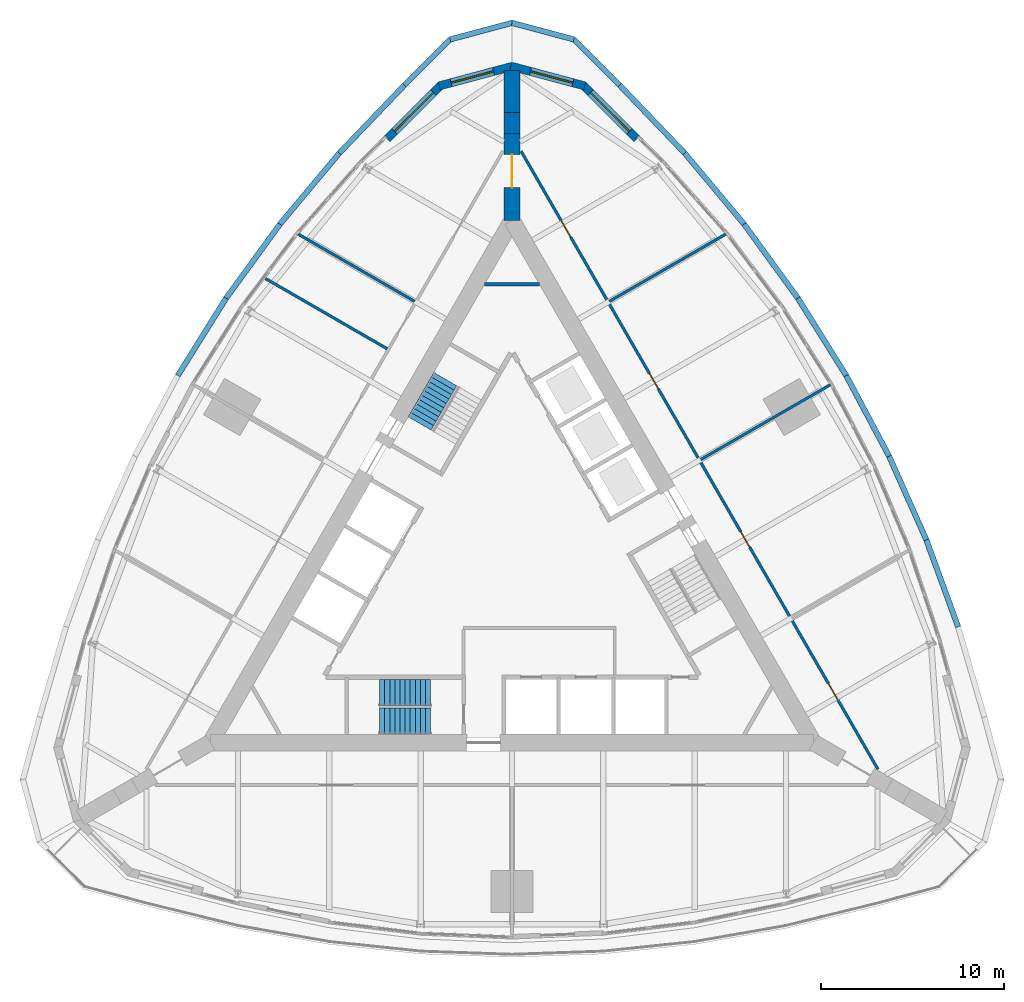
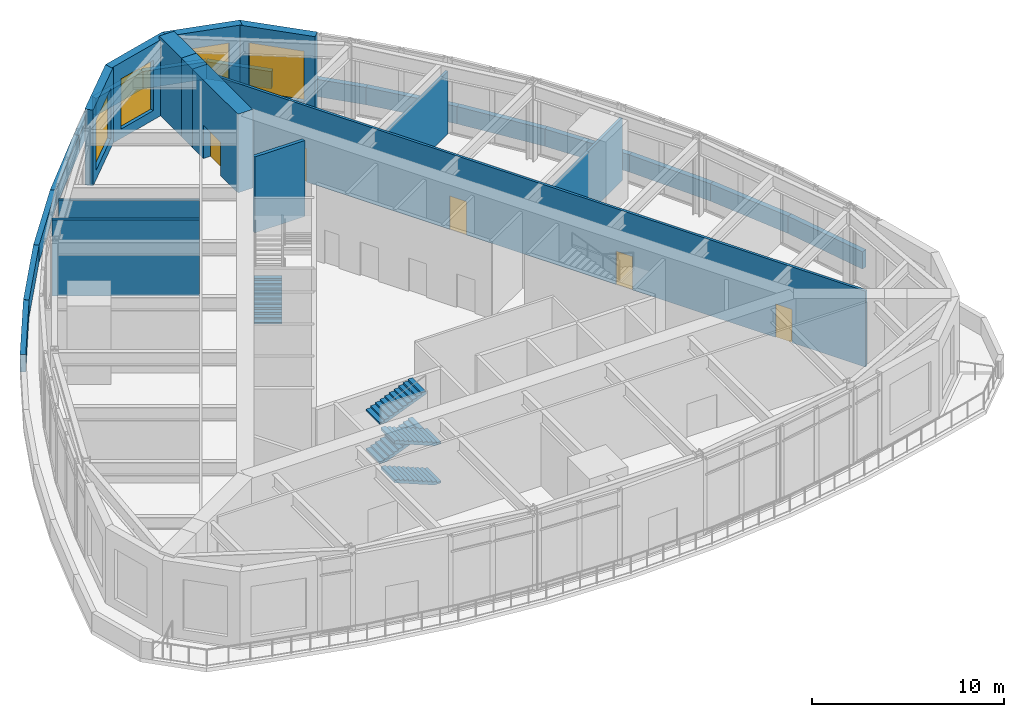
# One storey, part 10 of 13: 28 walls, 5 doors, 5 stair flights, 4 windows, 9 openings, 2 elements without a shape of their own.
"""IFC4 building model written with IfcOpenShell, lengths in metres."""

from ifc_helpers import new_model, si_unit, direction, frame, frame_2d, origin, place, context, subcontext, project, spatial, polyline, rectangle, outline, extrude, material, layer, layer_set, type_object, element, fill, aggregate, save


model = new_model("IFC4")

# Units and contexts
model_context = context("Model", 3, precision=1e-05, world=origin(), true_north=direction((0.0, 1.0)))
body_context = subcontext(model_context, "Body", "Model", "MODEL_VIEW")
ifc_project = project(units=[si_unit("LENGTHUNIT", "METRE"), si_unit("AREAUNIT", "SQUARE_METRE"), si_unit("VOLUMEUNIT", "CUBIC_METRE"), si_unit("PLANEANGLEUNIT", "RADIAN"), si_unit("MASSUNIT", "GRAM", prefix="KILO")], contexts=[model_context])

# Site, building, storey
site_placement = place(None, origin())
site = spatial("IfcSite", under=ifc_project, at=site_placement, CompositionType="ELEMENT")
building_placement = place(site_placement, origin())
building = spatial("IfcBuilding", under=site, at=building_placement, Name="Trikona Tower", CompositionType="ELEMENT")
storey_placement = place(building_placement, frame((0.0, 0.0, 195.89990234375)))
storey = spatial("IfcBuildingStorey", under=building, at=storey_placement, Name="L52", CompositionType="ELEMENT", Elevation=195.89990234375)

# Wall, opening, window
ifc_material_1 = material(Name="Brick-faced precast concrete", Category="masonry")
ifc_layer_1 = layer(ifc_material_1, 0.449951171875)
ifc_layer_set_1 = layer_set([ifc_layer_1], Name="Brick-faced corner wall 450")
wall_type_1 = type_object("IfcWallType", Name="Brick-faced corner wall 450", PredefinedType="SOLIDWALL", material=ifc_layer_set_1)
wall_1_placement = place(storey_placement, frame((6.8408203125, 23.51220703125, 0.0), z_axis=(0.0, 0.0, 1.0), x_axis=(-0.707106781187, 0.707106781187, 0.0)))
wall_1 = element("IfcWall", 1, at=wall_1_placement, inside=storey, type_object=wall_type_1, Name="External wall L52-20", PredefinedType="SOLIDWALL", context=body_context, shape_type="SweptSolid", body=[
    extrude(rectangle(XDim=4.183837890625, YDim=0.449951171875, at=frame_2d((2.091796875, 0.0))), origin(), (0.0, 0.0, 1.0), 4.835205078125),
])
opening_1_placement = place(wall_1_placement, frame((0.592041015625, 0.0, 0.60009765625)))
opening_1 = element("IfcOpeningElement", 2, at=opening_1_placement, cuts=wall_1, Name="Opening W3032", PredefinedType="OPENING", context=body_context, shape_type="SweptSolid", body=[
    extrude(rectangle(XDim=3.0, YDim=3.199951171875, at=frame_2d((1.5, 1.60009765625))), frame((0.0, 0.23486328125, 0.0), z_axis=(0.0, -1.0, 0.0), x_axis=(1.0, 0.0, 0.0)), (0.0, 0.0, 1.0), 0.469970703125),
])
ifc_material_2 = material(Name="Aluminium-framed double glazing", Category="aluminium")
window_type_1 = type_object("IfcWindowType", Name="Window 3000x3200", PartitioningType="SINGLE_PANEL", PredefinedType="WINDOW", material=ifc_material_2)
window_1_placement = place(opening_1_placement, origin())
window_1 = element("IfcWindow", 3, at=window_1_placement, inside=storey, type_object=window_type_1, Name="Window L52-TR2", OverallHeight=3.199951171875, OverallWidth=3.0, PartitioningType="SINGLE_PANEL", PredefinedType="WINDOW", context=body_context, shape_type="SweptSolid", body=[
    extrude(rectangle(XDim=3.0, YDim=3.199951171875, at=frame_2d((1.5, 1.60009765625))), frame((0.0, 0.030029296875, 0.0), z_axis=(0.0, -1.0, 0.0), x_axis=(1.0, 0.0, 0.0)), (0.0, 0.0, 1.0), 0.06005859375),
])
fill(opening_1, window_1)

wall_2_placement = place(storey_placement, frame((3.9833984375, 26.41259765625, 0.0), z_axis=(0.0, 0.0, 1.0), x_axis=(-0.965920442324, 0.258839137498, 0.0)))
wall_2 = element("IfcWall", 4, at=wall_2_placement, inside=storey, type_object=wall_type_1, Name="External wall L52-21", PredefinedType="SOLIDWALL", context=body_context, shape_type="SweptSolid", body=[
    extrude(outline(polyline([(4.18408203125, 0.22509765625), (4.124267578125, 0.22509765625), (3.633056640625, 0.09326171875), (3.59765625, 0.22509765625), (0.0, 0.22509765625), (0.0, -0.22509765625), (4.18408203125, -0.22509765625), (4.18408203125, 0.22509765625)])), origin(), (0.0, 0.0, 1.0), 4.835205078125),
])
opening_2_placement = place(wall_2_placement, frame((0.673828125, 0.0, 0.60009765625)))
opening_2 = element("IfcOpeningElement", 5, at=opening_2_placement, cuts=wall_2, Name="Opening W2432", PredefinedType="OPENING", context=body_context, shape_type="SweptSolid", body=[
    extrude(rectangle(XDim=2.39990234375, YDim=3.199951171875, at=frame_2d((1.199951171875, 1.60009765625))), frame((0.0, 0.23486328125, 0.0), z_axis=(0.0, -1.0, 0.0), x_axis=(1.0, 0.0, 0.0)), (0.0, 0.0, 1.0), 0.469970703125),
])
ifc_material_3 = material(Name="Aluminium-framed double glazing", Category="aluminium")
window_type_2 = type_object("IfcWindowType", Name="Window 2400x3200", PartitioningType="SINGLE_PANEL", PredefinedType="WINDOW", material=ifc_material_3)
window_2_placement = place(opening_2_placement, origin())
window_2 = element("IfcWindow", 6, at=window_2_placement, inside=storey, type_object=window_type_2, Name="Window L52-TR2", OverallHeight=3.199951171875, OverallWidth=2.39990234375, PartitioningType="SINGLE_PANEL", PredefinedType="WINDOW", context=body_context, shape_type="SweptSolid", body=[
    extrude(rectangle(XDim=2.39990234375, YDim=3.199951171875, at=frame_2d((1.199951171875, 1.60009765625))), frame((0.0, 0.030029296875, 0.0), z_axis=(0.0, -1.0, 0.0), x_axis=(1.0, 0.0, 0.0)), (0.0, 0.0, 1.0), 0.06005859375),
])
fill(opening_2, window_2)

wall_3_placement = place(storey_placement, frame((0.05810546875, 27.49560546875, 0.0), z_axis=(0.0, 0.0, 1.0), x_axis=(-0.965920442324, -0.258839137498, 0.0)))
wall_3 = element("IfcWall", 7, at=wall_3_placement, inside=storey, type_object=wall_type_1, Name="External wall L52-22", PredefinedType="SOLIDWALL", context=body_context, shape_type="SweptSolid", body=[
    extrude(outline(polyline([(4.18408203125, 0.22509765625), (0.58642578125, 0.22509765625), (0.551025390625, 0.09326171875), (0.059814453125, 0.22509765625), (0.0, 0.22509765625), (0.0, -0.22509765625), (4.18408203125, -0.22509765625), (4.18408203125, 0.22509765625)])), origin(), (0.0, 0.0, 1.0), 4.835205078125),
])
opening_3_placement = place(wall_3_placement, frame((1.1103515625, 0.0, 0.60009765625)))
opening_3 = element("IfcOpeningElement", 8, at=opening_3_placement, cuts=wall_3, Name="Opening W2432", PredefinedType="OPENING", context=body_context, shape_type="SweptSolid", body=[
    extrude(rectangle(XDim=2.39990234375, YDim=3.199951171875, at=frame_2d((1.199951171875, 1.60009765625))), frame((0.0, 0.23486328125, 0.0), z_axis=(0.0, -1.0, 0.0), x_axis=(1.0, 0.0, 0.0)), (0.0, 0.0, 1.0), 0.469970703125),
])
window_3_placement = place(opening_3_placement, origin())
window_3 = element("IfcWindow", 9, at=window_3_placement, inside=storey, type_object=window_type_2, Name="Window L52-TR3", OverallHeight=3.199951171875, OverallWidth=2.39990234375, PartitioningType="SINGLE_PANEL", PredefinedType="WINDOW", context=body_context, shape_type="SweptSolid", body=[
    extrude(rectangle(XDim=2.39990234375, YDim=3.199951171875, at=frame_2d((1.199951171875, 1.60009765625))), frame((0.0, 0.030029296875, 0.0), z_axis=(0.0, -1.0, 0.0), x_axis=(1.0, 0.0, 0.0)), (0.0, 0.0, 1.0), 0.06005859375),
])
fill(opening_3, window_3)

wall_4_placement = place(storey_placement, frame((-3.88232421875, 26.470703125, 0.0), z_axis=(0.0, 0.0, 1.0), x_axis=(-0.707106781187, -0.707106781187, 0.0)))
wall_4 = element("IfcWall", 10, at=wall_4_placement, inside=storey, type_object=wall_type_1, Name="External wall L52-23", PredefinedType="SOLIDWALL", context=body_context, shape_type="SweptSolid", body=[
    extrude(rectangle(XDim=4.183837890625, YDim=0.449951171875, at=frame_2d((2.091796875, 0.0))), origin(), (0.0, 0.0, 1.0), 4.835205078125),
])
opening_4_placement = place(wall_4_placement, frame((0.592041015625, 0.0, 0.60009765625)))
opening_4 = element("IfcOpeningElement", 11, at=opening_4_placement, cuts=wall_4, Name="Opening W3032", PredefinedType="OPENING", context=body_context, shape_type="SweptSolid", body=[
    extrude(rectangle(XDim=3.0, YDim=3.199951171875, at=frame_2d((1.5, 1.60009765625))), frame((0.0, 0.23486328125, 0.0), z_axis=(0.0, -1.0, 0.0), x_axis=(1.0, 0.0, 0.0)), (0.0, 0.0, 1.0), 0.469970703125),
])
window_4_placement = place(opening_4_placement, origin())
window_4 = element("IfcWindow", 12, at=window_4_placement, inside=storey, type_object=window_type_1, Name="Window L52-TR3", OverallHeight=3.199951171875, OverallWidth=3.0, PartitioningType="SINGLE_PANEL", PredefinedType="WINDOW", context=body_context, shape_type="SweptSolid", body=[
    extrude(rectangle(XDim=3.0, YDim=3.199951171875, at=frame_2d((1.5, 1.60009765625))), frame((0.0, 0.030029296875, 0.0), z_axis=(0.0, -1.0, 0.0), x_axis=(1.0, 0.0, 0.0)), (0.0, 0.0, 1.0), 0.06005859375),
])
fill(opening_4, window_4)

# Wall, opening, door
ifc_material_4 = material(Name="Concrete f'c 10000 psi", Category="concrete")
ifc_layer_2 = layer(ifc_material_4, 0.89990234375)
ifc_layer_set_2 = layer_set([ifc_layer_2], Name="Buttress wall 900")
wall_type_2 = type_object("IfcWallType", Name="Buttress wall 900", PredefinedType="SHEAR", material=ifc_layer_set_2)
wall_5_placement = place(storey_placement, frame((0.0, 19.052490234375, 0.0), z_axis=(0.0, 0.0, 1.0), x_axis=(0.0, 1.0, 0.0)))
wall_5 = element("IfcWall", 13, at=wall_5_placement, inside=storey, type_object=wall_type_2, Name="Buttress wall 2", PredefinedType="SHEAR", context=body_context, shape_type="SweptSolid", body=[
    extrude(rectangle(XDim=4.74609375, YDim=0.89990234375, at=frame_2d((2.373046875, 0.0))), origin(), (0.0, 0.0, 1.0), 5.0),
])
opening_5_placement = place(wall_5_placement, frame((1.800048828125, 0.0, 0.0)))
opening_5 = element("IfcOpeningElement", 14, at=opening_5_placement, cuts=wall_5, Name="Opening D10", PredefinedType="OPENING", context=body_context, shape_type="SweptSolid", body=[
    extrude(rectangle(XDim=1.800048828125, YDim=2.1298828125, at=frame_2d((0.89990234375, 1.06494140625))), frame((0.0, 0.4599609375, 0.0), z_axis=(0.0, -1.0, 0.0), x_axis=(1.0, 0.0, 0.0)), (0.0, 0.0, 1.0), 0.919921875),
])
ifc_material_5 = material(Name="Hollow metal door and frame", Category="steel")
door_type_1 = type_object("IfcDoorType", Name="Cross-corridor door pair 1800x2130", OperationType="DOUBLE_DOOR_DOUBLE_SWING", PredefinedType="DOOR", material=ifc_material_5)
door_1_placement = place(opening_5_placement, origin())
door_1 = element("IfcDoor", 15, at=door_1_placement, inside=storey, type_object=door_type_1, Name="Cross-corridor door 2", OperationType="DOUBLE_DOOR_DOUBLE_SWING", OverallHeight=2.1298828125, OverallWidth=1.800048828125, PredefinedType="DOOR", context=body_context, shape_type="SweptSolid", body=[
    extrude(rectangle(XDim=1.800048828125, YDim=2.1298828125, at=frame_2d((0.89990234375, 1.06494140625))), frame((0.0, 0.02490234375, 0.0), z_axis=(0.0, -1.0, 0.0), x_axis=(1.0, 0.0, 0.0)), (0.0, 0.0, 1.0), 0.050048828125),
])
fill(opening_5, door_1)

# Walls
wall_6_placement = place(storey_placement, frame((0.0, 23.798583984375, 0.0), z_axis=(0.0, 0.0, 1.0), x_axis=(0.0, 1.0, 0.0)))
element("IfcWall", 16, at=wall_6_placement, inside=storey, type_object=wall_type_2, Name="Buttress wall 2 part 2", PredefinedType="SHEAR", context=body_context, shape_type="SweptSolid", body=[
    extrude(rectangle(XDim=1.15478515625, YDim=0.89990234375, at=frame_2d((0.577392578125, 0.0))), origin(), (0.0, 0.0, 1.0), 5.0),
])
wall_7_placement = place(storey_placement, frame((0.0, 24.953369140625, 0.0), z_axis=(0.0, 0.0, 1.0), x_axis=(0.0, 1.0, 0.0)))
element("IfcWall", 17, at=wall_7_placement, inside=storey, type_object=wall_type_2, Name="Buttress wall 2 part 3", PredefinedType="SHEAR", context=body_context, shape_type="SweptSolid", body=[
    extrude(rectangle(XDim=2.309326171875, YDim=0.89990234375, at=frame_2d((1.15478515625, 0.0))), origin(), (0.0, 0.0, 1.0), 5.0),
])

# Wall, openings, doors
ifc_material_6 = material(Name="Metal stud and gypsum board, 1-hour", Category="gypsum")
ifc_layer_3 = layer(ifc_material_6, 0.14990234375)
ifc_layer_set_3 = layer_set([ifc_layer_3], Name="Corridor wall 150")
wall_type_3 = type_object("IfcWallType", Name="Corridor wall 150", PredefinedType="PARTITIONING", material=ifc_layer_set_3)
wall_8_placement = place(storey_placement, frame((20.027099609375, -10.9853515625, 0.0), z_axis=(0.0, 0.0, 1.0), x_axis=(-0.500001677587, 0.866024435227, 0.0)))
wall_8 = element("IfcWall", 18, at=wall_8_placement, inside=storey, type_object=wall_type_3, Name="Corridor wall L52-2", PredefinedType="PARTITIONING", context=body_context, shape_type="SweptSolid", body=[
    extrude(rectangle(XDim=39.053955078125, YDim=0.14990234375, at=frame_2d((19.52685546875, 0.0))), origin(), (0.0, 0.0, 1.0), 4.835205078125),
])
opening_6_placement = place(wall_8_placement, frame((4.41357421875, 0.0, 0.0)))
opening_6 = element("IfcOpeningElement", 19, at=opening_6_placement, cuts=wall_8, Name="Opening D3", PredefinedType="OPENING", context=body_context, shape_type="SweptSolid", body=[
    extrude(rectangle(XDim=1.0, YDim=2.1298828125, at=frame_2d((0.5, 1.06494140625))), frame((0.0, 0.0849609375, 0.0), z_axis=(0.0, -1.0, 0.0), x_axis=(1.0, 0.0, 0.0)), (0.0, 0.0, 1.0), 0.169921875),
])
opening_7_placement = place(wall_8_placement, frame((14.027099609375, 0.0, 0.0)))
opening_7 = element("IfcOpeningElement", 20, at=opening_7_placement, cuts=wall_8, Name="Opening D3", PredefinedType="OPENING", context=body_context, shape_type="SweptSolid", body=[
    extrude(rectangle(XDim=1.0, YDim=2.1298828125, at=frame_2d((0.5, 1.06494140625))), frame((0.0, 0.0849609375, 0.0), z_axis=(0.0, -1.0, 0.0), x_axis=(1.0, 0.0, 0.0)), (0.0, 0.0, 1.0), 0.169921875),
])
opening_8_placement = place(wall_8_placement, frame((24.027099609375, 0.0, 0.0)))
opening_8 = element("IfcOpeningElement", 21, at=opening_8_placement, cuts=wall_8, Name="Opening D3", PredefinedType="OPENING", context=body_context, shape_type="SweptSolid", body=[
    extrude(rectangle(XDim=1.0, YDim=2.1298828125, at=frame_2d((0.5, 1.06494140625))), frame((0.0, 0.0849609375, 0.0), z_axis=(0.0, -1.0, 0.0), x_axis=(1.0, 0.0, 0.0)), (0.0, 0.0, 1.0), 0.169921875),
])
opening_9_placement = place(wall_8_placement, frame((33.640380859375, 0.0, 0.0)))
opening_9 = element("IfcOpeningElement", 22, at=opening_9_placement, cuts=wall_8, Name="Opening D3", PredefinedType="OPENING", context=body_context, shape_type="SweptSolid", body=[
    extrude(rectangle(XDim=1.0, YDim=2.1298828125, at=frame_2d((0.5, 1.06494140625))), frame((0.0, 0.0849609375, 0.0), z_axis=(0.0, -1.0, 0.0), x_axis=(1.0, 0.0, 0.0)), (0.0, 0.0, 1.0), 0.169921875),
])
ifc_material_7 = material(Name="Steel door frame with solid-core timber leaf", Category="steel")
door_type_2 = type_object("IfcDoorType", Name="Room door 1000x2130", OperationType="SINGLE_SWING_LEFT", PredefinedType="DOOR", material=ifc_material_7)
door_2_placement = place(opening_6_placement, origin())
door_2 = element("IfcDoor", 23, at=door_2_placement, inside=storey, type_object=door_type_2, Name="Door Treatment room 1", OperationType="SINGLE_SWING_LEFT", OverallHeight=2.1298828125, OverallWidth=1.0, PredefinedType="DOOR", context=body_context, shape_type="SweptSolid", body=[
    extrude(rectangle(XDim=1.0, YDim=2.1298828125, at=frame_2d((0.5, 1.06494140625))), frame((0.0, 0.02490234375, 0.0), z_axis=(0.0, -1.0, 0.0), x_axis=(1.0, 0.0, 0.0)), (0.0, 0.0, 1.0), 0.050048828125),
])
fill(opening_6, door_2)
door_3_placement = place(opening_7_placement, origin())
door_3 = element("IfcDoor", 24, at=door_3_placement, inside=storey, type_object=door_type_2, Name="Door Men's changing and toilets", OperationType="SINGLE_SWING_RIGHT", OverallHeight=2.1298828125, OverallWidth=1.0, PredefinedType="DOOR", context=body_context, shape_type="SweptSolid", body=[
    extrude(rectangle(XDim=1.0, YDim=2.1298828125, at=frame_2d((0.5, 1.06494140625))), frame((0.0, 0.02490234375, 0.0), z_axis=(0.0, -1.0, 0.0), x_axis=(1.0, 0.0, 0.0)), (0.0, 0.0, 1.0), 0.050048828125),
])
fill(opening_7, door_3)
door_4_placement = place(opening_8_placement, origin())
door_4 = element("IfcDoor", 25, at=door_4_placement, inside=storey, type_object=door_type_2, Name="Door Women's changing and toilets", OperationType="SINGLE_SWING_LEFT", OverallHeight=2.1298828125, OverallWidth=1.0, PredefinedType="DOOR", context=body_context, shape_type="SweptSolid", body=[
    extrude(rectangle(XDim=1.0, YDim=2.1298828125, at=frame_2d((0.5, 1.06494140625))), frame((0.0, 0.02490234375, 0.0), z_axis=(0.0, -1.0, 0.0), x_axis=(1.0, 0.0, 0.0)), (0.0, 0.0, 1.0), 0.050048828125),
])
fill(opening_8, door_4)
door_5_placement = place(opening_9_placement, origin())
door_5 = element("IfcDoor", 26, at=door_5_placement, inside=storey, type_object=door_type_2, Name="Door Treatment room 2", OperationType="SINGLE_SWING_RIGHT", OverallHeight=2.1298828125, OverallWidth=1.0, PredefinedType="DOOR", context=body_context, shape_type="SweptSolid", body=[
    extrude(rectangle(XDim=1.0, YDim=2.1298828125, at=frame_2d((0.5, 1.06494140625))), frame((0.0, 0.02490234375, 0.0), z_axis=(0.0, -1.0, 0.0), x_axis=(1.0, 0.0, 0.0)), (0.0, 0.0, 1.0), 0.050048828125),
])
fill(opening_9, door_5)

# Walls
ifc_material_8 = material(Name="Brick-faced precast concrete", Category="masonry")
ifc_layer_4 = layer(ifc_material_8, 0.300048828125)
ifc_layer_set_4 = layer_set([ifc_layer_4], Name="Parapet wall 300")
wall_type_4 = type_object("IfcWallType", Name="Parapet wall 300", PredefinedType="PARAPET", material=ifc_layer_set_4)
wall_9_placement = place(storey_placement, frame((-18.294921875, 10.5625, 0.0), z_axis=(0.0, 0.0, 1.0), x_axis=(0.529972566993, 0.848014786566, 0.0)))
element("IfcWall", 27, at=wall_9_placement, inside=storey, type_object=wall_type_4, Name="Green roof parapet L52-1-07", PredefinedType="PARAPET", context=body_context, shape_type="SweptSolid", body=[
    extrude(rectangle(XDim=4.99267578125, YDim=0.300048828125, at=frame_2d((2.496337890625, 0.0))), origin(), (0.0, 0.0, 1.0), 1.10009765625),
])
wall_10_placement = place(storey_placement, frame((-15.64892578125, 14.79638671875, 0.0), z_axis=(0.0, 0.0, 1.0), x_axis=(0.587682609785, 0.809091558574, 0.0)))
element("IfcWall", 28, at=wall_10_placement, inside=storey, type_object=wall_type_4, Name="Green roof parapet L52-1-08", PredefinedType="PARAPET", context=body_context, shape_type="SweptSolid", body=[
    extrude(rectangle(XDim=5.01708984375, YDim=0.300048828125, at=frame_2d((2.508544921875, 0.0))), origin(), (0.0, 0.0, 1.0), 1.10009765625),
])
wall_11_placement = place(storey_placement, frame((-12.700439453125, 18.855712890625, 0.0), z_axis=(0.0, 0.0, 1.0), x_axis=(0.641804200525, 0.766868546876, 0.0)))
element("IfcWall", 29, at=wall_11_placement, inside=storey, type_object=wall_type_4, Name="Green roof parapet L52-1-09", PredefinedType="PARAPET", context=body_context, shape_type="SweptSolid", body=[
    extrude(rectangle(XDim=5.065673828125, YDim=0.300048828125, at=frame_2d((2.53271484375, 0.0))), origin(), (0.0, 0.0, 1.0), 1.10009765625),
])
wall_12_placement = place(storey_placement, frame((-9.44921875, 22.740478515625, 0.0), z_axis=(0.0, 0.0, 1.0), x_axis=(0.691747542748, 0.722139416666, 0.0)))
element("IfcWall", 30, at=wall_12_placement, inside=storey, type_object=wall_type_4, Name="Green roof parapet L52-1-10", PredefinedType="PARAPET", context=body_context, shape_type="SweptSolid", body=[
    extrude(rectangle(XDim=5.14111328125, YDim=0.300048828125, at=frame_2d((2.570556640625, 0.0))), origin(), (0.0, 0.0, 1.0), 1.10009765625),
])
wall_13_placement = place(storey_placement, frame((-5.892822265625, 26.453125, 0.0), z_axis=(0.0, 0.0, 1.0), x_axis=(0.707106781187, 0.707106781187, 0.0)))
element("IfcWall", 31, at=wall_13_placement, inside=storey, type_object=wall_type_4, Name="Green roof parapet L52-1-11", PredefinedType="PARAPET", context=body_context, shape_type="SweptSolid", body=[
    extrude(rectangle(XDim=3.54443359375, YDim=0.300048828125, at=frame_2d((1.772216796875, 0.0))), origin(), (0.0, 0.0, 1.0), 1.10009765625),
])
for number, where, z_axis, x_axis, name in (
    (32, (-3.386474609375, 28.95947265625, 0.0), (0.0, 0.0, 1.0), (0.96592100815, 0.258837025974, 0.0), "Green roof parapet L52-1-12"),
    (33, (0.0, 29.866943359375, 0.0), (0.0, 0.0, 1.0), (0.96592100815, -0.258837025974, 0.0), "Green roof parapet L52-1-13"),
):
    element("IfcWall", number, at=place(storey_placement, frame(where, z_axis=z_axis, x_axis=x_axis)), inside=storey, type_object=wall_type_4, Name=name, PredefinedType="PARAPET", context=body_context, shape_type="SweptSolid", body=[
        extrude(rectangle(XDim=3.505859375, YDim=0.300048828125, at=frame_2d((1.7529296875, 0.0))), origin(), (0.0, 0.0, 1.0), 1.10009765625),
    ])
wall_14_placement = place(storey_placement, frame((3.386474609375, 28.95947265625, 0.0), z_axis=(0.0, 0.0, 1.0), x_axis=(0.707106781187, -0.707106781187, 0.0)))
element("IfcWall", 34, at=wall_14_placement, inside=storey, type_object=wall_type_4, Name="Green roof parapet L52-1-14", PredefinedType="PARAPET", context=body_context, shape_type="SweptSolid", body=[
    extrude(rectangle(XDim=3.54443359375, YDim=0.300048828125, at=frame_2d((1.772216796875, 0.0))), origin(), (0.0, 0.0, 1.0), 1.10009765625),
])
wall_15_placement = place(storey_placement, frame((5.892822265625, 26.453125, 0.0), z_axis=(0.0, 0.0, 1.0), x_axis=(0.691747542748, -0.722139416666, 0.0)))
element("IfcWall", 35, at=wall_15_placement, inside=storey, type_object=wall_type_4, Name="Green roof parapet L52-1-15", PredefinedType="PARAPET", context=body_context, shape_type="SweptSolid", body=[
    extrude(rectangle(XDim=5.14111328125, YDim=0.300048828125, at=frame_2d((2.570556640625, 0.0))), origin(), (0.0, 0.0, 1.0), 1.10009765625),
])
wall_16_placement = place(storey_placement, frame((9.44921875, 22.740478515625, 0.0), z_axis=(0.0, 0.0, 1.0), x_axis=(0.641804200525, -0.766868546876, 0.0)))
element("IfcWall", 36, at=wall_16_placement, inside=storey, type_object=wall_type_4, Name="Green roof parapet L52-1-16", PredefinedType="PARAPET", context=body_context, shape_type="SweptSolid", body=[
    extrude(rectangle(XDim=5.065673828125, YDim=0.300048828125, at=frame_2d((2.53271484375, 0.0))), origin(), (0.0, 0.0, 1.0), 1.10009765625),
])
wall_17_placement = place(storey_placement, frame((12.700439453125, 18.855712890625, 0.0), z_axis=(0.0, 0.0, 1.0), x_axis=(0.587682609785, -0.809091558574, 0.0)))
element("IfcWall", 37, at=wall_17_placement, inside=storey, type_object=wall_type_4, Name="Green roof parapet L52-1-17", PredefinedType="PARAPET", context=body_context, shape_type="SweptSolid", body=[
    extrude(rectangle(XDim=5.01708984375, YDim=0.300048828125, at=frame_2d((2.508544921875, 0.0))), origin(), (0.0, 0.0, 1.0), 1.10009765625),
])
wall_18_placement = place(storey_placement, frame((15.64892578125, 14.79638671875, 0.0), z_axis=(0.0, 0.0, 1.0), x_axis=(0.529972566993, -0.848014786566, 0.0)))
element("IfcWall", 38, at=wall_18_placement, inside=storey, type_object=wall_type_4, Name="Green roof parapet L52-1-18", PredefinedType="PARAPET", context=body_context, shape_type="SweptSolid", body=[
    extrude(rectangle(XDim=4.99267578125, YDim=0.300048828125, at=frame_2d((2.496337890625, 0.0))), origin(), (0.0, 0.0, 1.0), 1.10009765625),
])
wall_19_placement = place(storey_placement, frame((18.294921875, 10.5625, 0.0), z_axis=(0.0, 0.0, 1.0), x_axis=(0.469412641147, -0.882978919528, 0.0)))
element("IfcWall", 39, at=wall_19_placement, inside=storey, type_object=wall_type_4, Name="Green roof parapet L52-1-19", PredefinedType="PARAPET", context=body_context, shape_type="SweptSolid", body=[
    extrude(rectangle(XDim=4.992431640625, YDim=0.300048828125, at=frame_2d((2.49609375, 0.0))), origin(), (0.0, 0.0, 1.0), 1.10009765625),
])
wall_20_placement = place(storey_placement, frame((20.638427734375, 6.154296875, 0.0), z_axis=(0.0, 0.0, 1.0), x_axis=(0.406847176186, -0.913496237118, 0.0)))
element("IfcWall", 40, at=wall_20_placement, inside=storey, type_object=wall_type_4, Name="Green roof parapet L52-1-20", PredefinedType="PARAPET", context=body_context, shape_type="SweptSolid", body=[
    extrude(rectangle(XDim=5.017333984375, YDim=0.300048828125, at=frame_2d((2.5087890625, 0.0))), origin(), (0.0, 0.0, 1.0), 1.10009765625),
])
wall_21_placement = place(storey_placement, frame((22.6796875, 1.571044921875, 0.0), z_axis=(0.0, 0.0, 1.0), x_axis=(0.343193770581, -0.939264625031, 0.0)))
element("IfcWall", 41, at=wall_21_placement, inside=storey, type_object=wall_type_4, Name="Green roof parapet L52-1-21", PredefinedType="PARAPET", context=body_context, shape_type="SweptSolid", body=[
    extrude(rectangle(XDim=5.065673828125, YDim=0.300048828125, at=frame_2d((2.53271484375, 0.0))), origin(), (0.0, 0.0, 1.0), 1.10009765625),
])
ifc_material_9 = material(Name="Metal stud and gypsum board, 1-hour acoustic", Category="gypsum")
ifc_layer_5 = layer(ifc_material_9, 0.14990234375)
ifc_layer_set_5 = layer_set([ifc_layer_5], Name="Party wall 150")
wall_type_5 = type_object("IfcWallType", Name="Party wall 150", PredefinedType="PARTITIONING", material=ifc_layer_set_5)
wall_22_placement = place(storey_placement, frame((10.32861328125, 5.963134765625, 0.0), z_axis=(0.0, 0.0, 1.0), x_axis=(0.866026800146, 0.499997581422, 0.0)))
element("IfcWall", 42, at=wall_22_placement, inside=storey, type_object=wall_type_5, Name="Partition L52 F2 u-2.10942e-15", PredefinedType="PARTITIONING", context=body_context, shape_type="SweptSolid", body=[
    extrude(rectangle(XDim=8.193359375, YDim=0.14990234375, at=frame_2d((4.0966796875, 0.0))), origin(), (0.0, 0.0, 1.0), 3.9892578125),
])
for number, where, z_axis, x_axis, name in (
    (43, (5.32861328125, 14.623291015625, 0.0), (0.0, 0.0, 1.0), (0.866018089937, 0.500012667742, 0.0), "Partition L52 F2 u10"),
    (44, (-5.32861328125, 14.623291015625, 0.0), (0.0, 0.0, 1.0), (-0.866018089937, 0.500012667742, 0.0), "Partition L52 F3 u-10"),
):
    element("IfcWall", number, at=place(storey_placement, frame(where, z_axis=z_axis, x_axis=x_axis)), inside=storey, type_object=wall_type_5, Name=name, PredefinedType="PARTITIONING", context=body_context, shape_type="SweptSolid", body=[
        extrude(rectangle(XDim=7.354736328125, YDim=0.14990234375, at=frame_2d((3.67724609375, 0.0))), origin(), (0.0, 0.0, 1.0), 3.9892578125),
    ])
wall_23_placement = place(storey_placement, frame((-6.82861328125, 12.025390625, 0.0), z_axis=(0.0, 0.0, 1.0), x_axis=(-0.866029684289, 0.499992585876, 0.0)))
element("IfcWall", 45, at=wall_23_placement, inside=storey, type_object=wall_type_5, Name="Partition L52 F3 u-7", PredefinedType="PARTITIONING", context=body_context, shape_type="SweptSolid", body=[
    extrude(rectangle(XDim=7.69287109375, YDim=0.14990234375, at=frame_2d((3.846435546875, 0.0))), origin(), (0.0, 0.0, 1.0), 4.835205078125),
])
ifc_material_10 = material(Name="Concrete f'c 8000 psi", Category="concrete")
ifc_layer_6 = layer(ifc_material_10, 0.199951171875)
ifc_layer_set_6 = layer_set([ifc_layer_6], Name="Shaft wall 200")
wall_type_6 = type_object("IfcWallType", Name="Shaft wall 200", PredefinedType="SOLIDWALL", material=ifc_layer_set_6)
wall_24_placement = place(storey_placement, frame((-1.501220703125, 15.552490234375, 0.0), z_axis=(0.0, 0.0, 1.0), x_axis=(1.0, 0.0, 0.0)))
element("IfcWall", 46, at=wall_24_placement, inside=storey, type_object=wall_type_6, Name="Riser wall L52-RS2", PredefinedType="SOLIDWALL", context=body_context, shape_type="SweptSolid", body=[
    extrude(rectangle(XDim=3.00244140625, YDim=0.199951171875, at=frame_2d((1.501220703125, 0.0))), origin(), (0.0, 0.0, 1.0), 4.835205078125),
])

# Stair, stair flights
ifc_material_11 = material(Name="Concrete f'c 5000 psi", Category="concrete")
stair_type = type_object("IfcStairType", Name="Core stair", PredefinedType="HALF_TURN_STAIR", material=ifc_material_11)
stair_1_placement = place(storey_placement, origin())
stair_1 = element("IfcStair", 47, at=stair_1_placement, inside=storey, type_object=stair_type, Name="Stair A L52", PredefinedType="HALF_TURN_STAIR")
ifc_material_12 = material(Name="Concrete f'c 5000 psi", Category="concrete")
stair_flight_type = type_object("IfcStairFlightType", Name="Core stair flight 1450", PredefinedType="STRAIGHT", material=ifc_material_12)
stair_flight_1_placement = place(storey_placement, frame((-4.449951171875, -8.351318359375, 0.0), z_axis=(0.0, 0.0, 1.0), x_axis=(-1.0, 0.0, 0.0)))
stair_flight_1 = element("IfcStairFlight", 48, at=stair_flight_1_placement, type_object=stair_flight_type, Name="ST-A flight 1", NumberOfRisers=11, NumberOfTreads=10, PredefinedType="STRAIGHT", RiserHeight=0.113636, TreadLength=0.28, context=body_context, shape_type="SweptSolid", body=[
    extrude(outline(polyline([(0.0, 0.0), (0.0, 0.113525390625), (0.280029296875, 0.113525390625), (0.280029296875, 0.227294921875), (0.56005859375, 0.227294921875), (0.56005859375, 0.3408203125), (0.840087890625, 0.3408203125), (0.840087890625, 0.45458984375), (1.1201171875, 0.45458984375), (1.1201171875, 0.568115234375), (1.39990234375, 0.568115234375), (1.39990234375, 0.681884765625), (1.679931640625, 0.681884765625), (1.679931640625, 0.79541015625), (1.9599609375, 0.79541015625), (1.9599609375, 0.9091796875), (2.239990234375, 0.9091796875), (2.239990234375, 1.022705078125), (2.52001953125, 1.022705078125), (2.52001953125, 1.136474609375), (2.800048828125, 1.136474609375), (2.800048828125, 1.25), (2.800048828125, 0.974609375), (0.398681640625, 0.0), (0.0, 0.0)])), frame((0.0, 0.72509765625, 0.0), z_axis=(0.0, -1.0, 0.0), x_axis=(1.0, 0.0, 0.0)), (0.0, 0.0, 1.0), 1.449951171875),
])
stair_flight_2_placement = place(storey_placement, frame((-7.25, -6.80126953125, 1.25), z_axis=(0.0, 0.0, 1.0), x_axis=(1.0, 0.0, 0.0)))
stair_flight_2 = element("IfcStairFlight", 49, at=stair_flight_2_placement, type_object=stair_flight_type, Name="ST-A flight 2", NumberOfRisers=11, NumberOfTreads=10, PredefinedType="STRAIGHT", RiserHeight=0.113636, TreadLength=0.28, context=body_context, shape_type="SweptSolid", body=[
    extrude(outline(polyline([(0.0, 0.0), (0.0, 0.113525390625), (0.280029296875, 0.113525390625), (0.280029296875, 0.227294921875), (0.56005859375, 0.227294921875), (0.56005859375, 0.3408203125), (0.840087890625, 0.3408203125), (0.840087890625, 0.45458984375), (1.1201171875, 0.45458984375), (1.1201171875, 0.568115234375), (1.39990234375, 0.568115234375), (1.39990234375, 0.681884765625), (1.679931640625, 0.681884765625), (1.679931640625, 0.79541015625), (1.9599609375, 0.79541015625), (1.9599609375, 0.9091796875), (2.239990234375, 0.9091796875), (2.239990234375, 1.022705078125), (2.52001953125, 1.022705078125), (2.52001953125, 1.136474609375), (2.800048828125, 1.136474609375), (2.800048828125, 1.25), (2.800048828125, 0.974609375), (0.398681640625, 0.0), (0.0, 0.0)])), frame((0.0, 0.72509765625, 0.0), z_axis=(0.0, -1.0, 0.0), x_axis=(1.0, 0.0, 0.0)), (0.0, 0.0, 1.0), 1.449951171875),
])
stair_flight_3_placement = place(storey_placement, frame((-4.449951171875, -8.351318359375, 2.5), z_axis=(0.0, 0.0, 1.0), x_axis=(-1.0, 0.0, 0.0)))
stair_flight_3 = element("IfcStairFlight", 50, at=stair_flight_3_placement, type_object=stair_flight_type, Name="ST-A flight 3", NumberOfRisers=11, NumberOfTreads=10, PredefinedType="STRAIGHT", RiserHeight=0.113636, TreadLength=0.28, context=body_context, shape_type="SweptSolid", body=[
    extrude(outline(polyline([(0.0, 0.0), (0.0, 0.113525390625), (0.280029296875, 0.113525390625), (0.280029296875, 0.227294921875), (0.56005859375, 0.227294921875), (0.56005859375, 0.3408203125), (0.840087890625, 0.3408203125), (0.840087890625, 0.45458984375), (1.1201171875, 0.45458984375), (1.1201171875, 0.568115234375), (1.39990234375, 0.568115234375), (1.39990234375, 0.681884765625), (1.679931640625, 0.681884765625), (1.679931640625, 0.79541015625), (1.9599609375, 0.79541015625), (1.9599609375, 0.9091796875), (2.239990234375, 0.9091796875), (2.239990234375, 1.022705078125), (2.52001953125, 1.022705078125), (2.52001953125, 1.136474609375), (2.800048828125, 1.136474609375), (2.800048828125, 1.25), (2.800048828125, 0.974609375), (0.398681640625, 0.0), (0.0, 0.0)])), frame((0.0, 0.72509765625, 0.0), z_axis=(0.0, -1.0, 0.0), x_axis=(1.0, 0.0, 0.0)), (0.0, 0.0, 1.0), 1.449951171875),
])
stair_flight_4_placement = place(storey_placement, frame((-7.25, -6.80126953125, 3.75), z_axis=(0.0, 0.0, 1.0), x_axis=(1.0, 0.0, 0.0)))
stair_flight_4 = element("IfcStairFlight", 51, at=stair_flight_4_placement, type_object=stair_flight_type, Name="ST-A flight 4", NumberOfRisers=11, NumberOfTreads=10, PredefinedType="STRAIGHT", RiserHeight=0.113636, TreadLength=0.28, context=body_context, shape_type="SweptSolid", body=[
    extrude(outline(polyline([(0.0, 0.0), (0.0, 0.113525390625), (0.280029296875, 0.113525390625), (0.280029296875, 0.227294921875), (0.56005859375, 0.227294921875), (0.56005859375, 0.3408203125), (0.840087890625, 0.3408203125), (0.840087890625, 0.45458984375), (1.1201171875, 0.45458984375), (1.1201171875, 0.568115234375), (1.39990234375, 0.568115234375), (1.39990234375, 0.681884765625), (1.679931640625, 0.681884765625), (1.679931640625, 0.79541015625), (1.9599609375, 0.79541015625), (1.9599609375, 0.9091796875), (2.239990234375, 0.9091796875), (2.239990234375, 1.022705078125), (2.52001953125, 1.022705078125), (2.52001953125, 1.136474609375), (2.800048828125, 1.136474609375), (2.800048828125, 1.25), (2.800048828125, 0.974609375), (0.398681640625, 0.0), (0.0, 0.0)])), frame((0.0, 0.72509765625, 0.0), z_axis=(0.0, -1.0, 0.0), x_axis=(1.0, 0.0, 0.0)), (0.0, 0.0, 1.0), 1.449951171875),
])
aggregate(stair_1, [stair_flight_1, stair_flight_2, stair_flight_3, stair_flight_4])

# Stair, stair flight
stair_2_placement = place(storey_placement, origin())
stair_2 = element("IfcStair", 52, at=stair_2_placement, inside=storey, type_object=stair_type, Name="Stair C L52", PredefinedType="HALF_TURN_STAIR")
stair_flight_5_placement = place(storey_placement, frame((-5.057373046875, 7.94287109375, 0.0), z_axis=(0.0, 0.0, 1.0), x_axis=(0.5, 0.866025403784, 0.0)))
stair_flight_5 = element("IfcStairFlight", 53, at=stair_flight_5_placement, type_object=stair_flight_type, Name="ST-C flight 1", NumberOfRisers=11, NumberOfTreads=10, PredefinedType="STRAIGHT", RiserHeight=0.113636, TreadLength=0.28, context=body_context, shape_type="SweptSolid", body=[
    extrude(outline(polyline([(0.0, 0.0), (0.0, 0.113525390625), (0.280029296875, 0.113525390625), (0.280029296875, 0.227294921875), (0.56005859375, 0.227294921875), (0.56005859375, 0.3408203125), (0.840087890625, 0.3408203125), (0.840087890625, 0.45458984375), (1.1201171875, 0.45458984375), (1.1201171875, 0.568115234375), (1.39990234375, 0.568115234375), (1.39990234375, 0.681884765625), (1.679931640625, 0.681884765625), (1.679931640625, 0.79541015625), (1.9599609375, 0.79541015625), (1.9599609375, 0.9091796875), (2.239990234375, 0.9091796875), (2.239990234375, 1.022705078125), (2.52001953125, 1.022705078125), (2.52001953125, 1.136474609375), (2.800048828125, 1.136474609375), (2.800048828125, 1.25), (2.800048828125, 0.974609375), (0.398681640625, 0.0), (0.0, 0.0)])), frame((0.0, 0.72509765625, 0.0), z_axis=(0.0, -1.0, 0.0), x_axis=(1.0, 0.0, 0.0)), (0.0, 0.0, 1.0), 1.449951171875),
])
aggregate(stair_2, [stair_flight_5])

save(model, "model.ifc")
